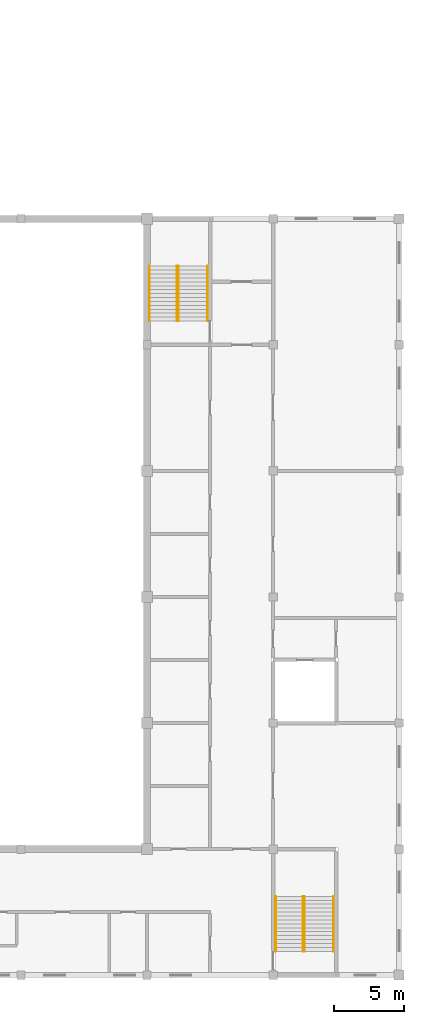
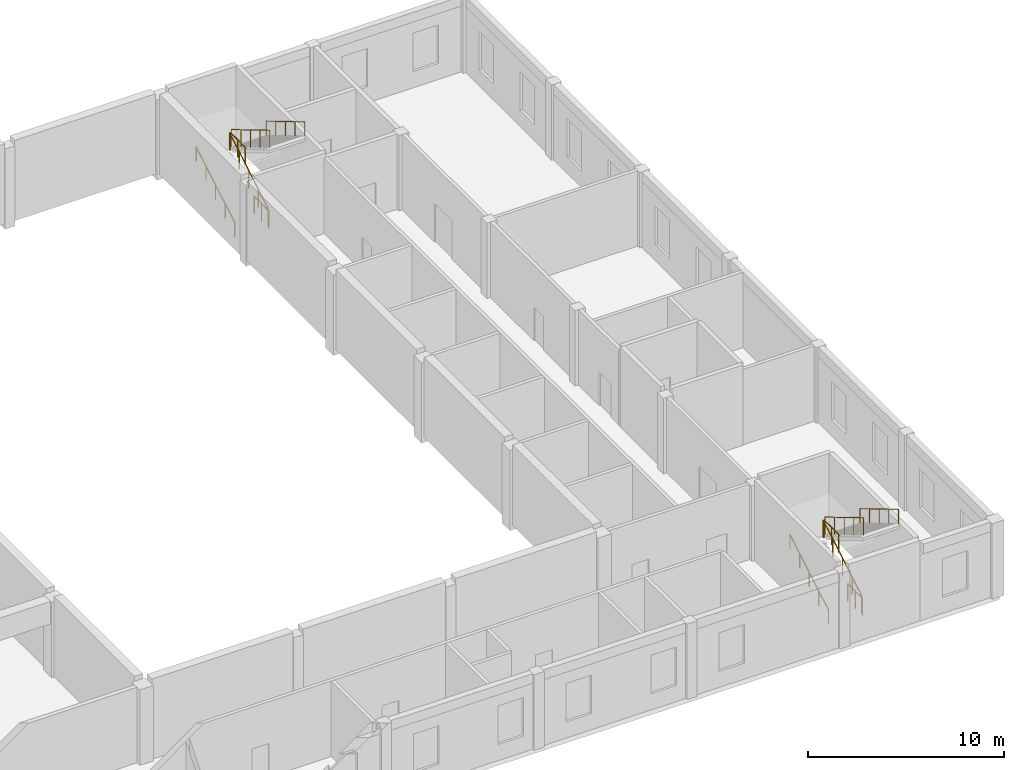
# One storey, part 29 of 30: 12 railings.
"""IFC4 building model written with IfcOpenShell, lengths in metres."""

from ifc_helpers import new_model, si_unit, direction, frame, origin, origin_2d, place, context, subcontext, project, spatial, circle, extrude, material, type_object, element, save


model = new_model("IFC4")

# Units and contexts
model_context = context("Model", 3, precision=1e-05, world=origin(), true_north=direction((0.0, 1.0)))
body_context = subcontext(model_context, "Body", "Model", "MODEL_VIEW")
ifc_project = project(units=[si_unit("LENGTHUNIT", "METRE"), si_unit("AREAUNIT", "SQUARE_METRE"), si_unit("VOLUMEUNIT", "CUBIC_METRE"), si_unit("PLANEANGLEUNIT", "RADIAN"), si_unit("MASSUNIT", "GRAM", prefix="KILO")], contexts=[model_context])

# Site, building, storey
site_placement = place(None, origin())
site = spatial("IfcSite", under=ifc_project, at=site_placement, CompositionType="ELEMENT")
building_placement = place(site_placement, origin())
building = spatial("IfcBuilding", under=site, at=building_placement, Name="Firuza Court", CompositionType="ELEMENT")
storey_placement = place(building_placement, frame((0.0, 0.0, 9.0)))
storey = spatial("IfcBuildingStorey", under=building, at=storey_placement, Name="L01", CompositionType="ELEMENT", Elevation=9.0)

# Railings
ifc_material_1 = material(Name="Steel S355", Category="steel")
railing_type_1 = type_object("IfcRailingType", Name="HALL HANDRAIL 900", PredefinedType="HANDRAIL", material=ifc_material_1)
railing_1_placement = place(storey_placement, frame((144.18994140625, -7.300048828125, 0.166748046875)))
element("IfcRailing", 1, at=railing_1_placement, inside=storey, type_object=railing_type_1, Name="Stair H2 flight 1 handrail L01", PredefinedType="HANDRAIL", context=body_context, shape_type="SweptSolid", body=[
    extrude(circle(Radius=0.02099609375, at=origin_2d()), frame((0.0, 0.0, 0.87890625), z_axis=(0.0, 0.859310244771, 0.511454693235), x_axis=(-1.0, 0.0, 0.0)), (0.0, 0.0, 1.0), 4.56201171875),
    extrude(circle(Radius=0.02001953125, at=origin_2d()), origin(), (0.0, 0.0, 1.0), 0.85791015625),
    extrude(circle(Radius=0.02001953125, at=origin_2d()), frame((0.0, 0.97998046875, 0.583251953125)), (0.0, 0.0, 1.0), 0.85791015625),
    extrude(circle(Radius=0.02001953125, at=origin_2d()), frame((0.0, 1.9599609375, 1.16650390625)), (0.0, 0.0, 1.0), 0.85791015625),
    extrude(circle(Radius=0.02001953125, at=origin_2d()), frame((0.0, 2.940185546875, 1.75)), (0.0, 0.0, 1.0), 0.85791015625),
    extrude(circle(Radius=0.02001953125, at=origin_2d()), frame((0.0, 3.920166015625, 2.333251953125)), (0.0, 0.0, 1.0), 0.85791015625),
])
railing_2_placement = place(storey_placement, frame((148.31005859375, -3.3798828125, 2.666748046875)))
element("IfcRailing", 2, at=railing_2_placement, inside=storey, type_object=railing_type_1, Name="Stair H2 flight 2 handrail L01", PredefinedType="HANDRAIL", context=body_context, shape_type="SweptSolid", body=[
    extrude(circle(Radius=0.02099609375, at=origin_2d()), frame((0.0, 0.0, 0.87890625), z_axis=(0.0, -0.859310244771, 0.511454693235), x_axis=(1.0, 0.0, 0.0)), (0.0, 0.0, 1.0), 4.56201171875),
    extrude(circle(Radius=0.02001953125, at=origin_2d()), origin(), (0.0, 0.0, 1.0), 0.85791015625),
    extrude(circle(Radius=0.02001953125, at=origin_2d()), frame((0.0, -0.97998046875, 0.583251953125)), (0.0, 0.0, 1.0), 0.85791015625),
    extrude(circle(Radius=0.02001953125, at=origin_2d()), frame((0.0, -1.9599609375, 1.16650390625)), (0.0, 0.0, 1.0), 0.85791015625),
    extrude(circle(Radius=0.02001953125, at=origin_2d()), frame((0.0, -2.940185546875, 1.75)), (0.0, 0.0, 1.0), 0.85791015625),
    extrude(circle(Radius=0.02001953125, at=origin_2d()), frame((0.0, -3.920166015625, 2.333251953125)), (0.0, 0.0, 1.0), 0.85791015625),
])
railing_3_placement = place(storey_placement, frame((135.18994140625, 37.699951171875, 0.166748046875)))
element("IfcRailing", 3, at=railing_3_placement, inside=storey, type_object=railing_type_1, Name="Stair H4 flight 1 handrail L01", PredefinedType="HANDRAIL", context=body_context, shape_type="SweptSolid", body=[
    extrude(circle(Radius=0.02099609375, at=origin_2d()), frame((0.0, 0.0, 0.87890625), z_axis=(0.0, 0.859310244771, 0.511454693235), x_axis=(-1.0, 0.0, 0.0)), (0.0, 0.0, 1.0), 4.56201171875),
    extrude(circle(Radius=0.02001953125, at=origin_2d()), origin(), (0.0, 0.0, 1.0), 0.85791015625),
    extrude(circle(Radius=0.02001953125, at=origin_2d()), frame((0.0, 0.97998046875, 0.583251953125)), (0.0, 0.0, 1.0), 0.85791015625),
    extrude(circle(Radius=0.02001953125, at=origin_2d()), frame((0.0, 1.9599609375, 1.16650390625)), (0.0, 0.0, 1.0), 0.85791015625),
    extrude(circle(Radius=0.02001953125, at=origin_2d()), frame((0.0, 2.940185546875, 1.75)), (0.0, 0.0, 1.0), 0.85791015625),
    extrude(circle(Radius=0.02001953125, at=origin_2d()), frame((0.0, 3.920166015625, 2.333251953125)), (0.0, 0.0, 1.0), 0.85791015625),
])
railing_4_placement = place(storey_placement, frame((139.31005859375, 41.6201171875, 2.666748046875)))
element("IfcRailing", 4, at=railing_4_placement, inside=storey, type_object=railing_type_1, Name="Stair H4 flight 2 handrail L01", PredefinedType="HANDRAIL", context=body_context, shape_type="SweptSolid", body=[
    extrude(circle(Radius=0.02099609375, at=origin_2d()), frame((0.0, 0.0, 0.87890625), z_axis=(0.0, -0.859310244771, 0.511454693235), x_axis=(1.0, 0.0, 0.0)), (0.0, 0.0, 1.0), 4.56201171875),
    extrude(circle(Radius=0.02001953125, at=origin_2d()), origin(), (0.0, 0.0, 1.0), 0.85791015625),
    extrude(circle(Radius=0.02001953125, at=origin_2d()), frame((0.0, -0.97998046875, 0.583251953125)), (0.0, 0.0, 1.0), 0.85791015625),
    extrude(circle(Radius=0.02001953125, at=origin_2d()), frame((0.0, -1.9599609375, 1.16650390625)), (0.0, 0.0, 1.0), 0.85791015625),
    extrude(circle(Radius=0.02001953125, at=origin_2d()), frame((0.0, -2.940185546875, 1.75)), (0.0, 0.0, 1.0), 0.85791015625),
    extrude(circle(Radius=0.02001953125, at=origin_2d()), frame((0.0, -3.920166015625, 2.333251953125)), (0.0, 0.0, 1.0), 0.85791015625),
])
ifc_material_2 = material(Name="Steel S355", Category="steel")
railing_type_2 = type_object("IfcRailingType", Name="HALL RAILING 1100", PredefinedType="GUARDRAIL", material=ifc_material_2)
railing_5_placement = place(storey_placement, frame((146.14990234375, -7.300048828125, 0.166748046875)))
element("IfcRailing", 5, at=railing_5_placement, inside=storey, type_object=railing_type_2, Name="Stair H2 flight 1 guard L01", PredefinedType="GUARDRAIL", context=body_context, shape_type="SweptSolid", body=[
    extrude(circle(Radius=0.02392578125, at=origin_2d()), frame((0.0, 0.0, 1.076171875), z_axis=(0.0, 0.859310244771, 0.511454693235), x_axis=(-1.0, 0.0, 0.0)), (0.0, 0.0, 1.0), 4.56201171875),
    extrude(circle(Radius=0.02099609375, at=origin_2d()), origin(), (0.0, 0.0, 1.0), 1.052001953125),
    extrude(circle(Radius=0.02099609375, at=origin_2d()), frame((0.0, 0.97998046875, 0.583251953125)), (0.0, 0.0, 1.0), 1.052001953125),
    extrude(circle(Radius=0.02099609375, at=origin_2d()), frame((0.0, 1.9599609375, 1.16650390625)), (0.0, 0.0, 1.0), 1.052001953125),
    extrude(circle(Radius=0.02099609375, at=origin_2d()), frame((0.0, 2.940185546875, 1.75)), (0.0, 0.0, 1.0), 1.052001953125),
    extrude(circle(Radius=0.02099609375, at=origin_2d()), frame((0.0, 3.920166015625, 2.333251953125)), (0.0, 0.0, 1.0), 1.052001953125),
])
railing_6_placement = place(storey_placement, frame((146.25, -3.3798828125, 2.666748046875)))
element("IfcRailing", 6, at=railing_6_placement, inside=storey, type_object=railing_type_2, Name="Stair H2 flight 2 guard L01", PredefinedType="GUARDRAIL", context=body_context, shape_type="SweptSolid", body=[
    extrude(circle(Radius=0.02392578125, at=origin_2d()), frame((0.0, 0.0, 1.076171875), z_axis=(0.0, -0.859310244771, 0.511454693235), x_axis=(1.0, 0.0, 0.0)), (0.0, 0.0, 1.0), 4.56201171875),
    extrude(circle(Radius=0.02099609375, at=origin_2d()), origin(), (0.0, 0.0, 1.0), 1.052001953125),
    extrude(circle(Radius=0.02099609375, at=origin_2d()), frame((0.0, -0.97998046875, 0.583251953125)), (0.0, 0.0, 1.0), 1.052001953125),
    extrude(circle(Radius=0.02099609375, at=origin_2d()), frame((0.0, -1.9599609375, 1.16650390625)), (0.0, 0.0, 1.0), 1.052001953125),
    extrude(circle(Radius=0.02099609375, at=origin_2d()), frame((0.0, -2.940185546875, 1.75)), (0.0, 0.0, 1.0), 1.052001953125),
    extrude(circle(Radius=0.02099609375, at=origin_2d()), frame((0.0, -3.920166015625, 2.333251953125)), (0.0, 0.0, 1.0), 1.052001953125),
])
railing_7_placement = place(storey_placement, frame((146.199951171875, -4.8798828125, 2.5)))
element("IfcRailing", 7, at=railing_7_placement, inside=storey, type_object=railing_type_2, Name="Stair H2 landing guard 1 L01", PredefinedType="GUARDRAIL", context=body_context, shape_type="SweptSolid", body=[
    extrude(circle(Radius=0.02392578125, at=origin_2d()), frame((0.0, 0.0, 1.076171875), z_axis=(0.0, 1.0, 0.0), x_axis=(-1.0, 0.0, 0.0)), (0.0, 0.0, 1.0), 1.5),
    extrude(circle(Radius=0.02099609375, at=origin_2d()), origin(), (0.0, 0.0, 1.0), 1.052001953125),
    extrude(circle(Radius=0.02099609375, at=origin_2d()), frame((0.0, 0.75, 0.0)), (0.0, 0.0, 1.0), 1.052001953125),
    extrude(circle(Radius=0.02099609375, at=origin_2d()), frame((0.0, 1.5, 0.0)), (0.0, 0.0, 1.0), 1.052001953125),
])
railing_8_placement = place(storey_placement, frame((137.14990234375, 37.699951171875, 0.166748046875)))
element("IfcRailing", 8, at=railing_8_placement, inside=storey, type_object=railing_type_2, Name="Stair H4 flight 1 guard L01", PredefinedType="GUARDRAIL", context=body_context, shape_type="SweptSolid", body=[
    extrude(circle(Radius=0.02392578125, at=origin_2d()), frame((0.0, 0.0, 1.076171875), z_axis=(0.0, 0.859310244771, 0.511454693235), x_axis=(-1.0, 0.0, 0.0)), (0.0, 0.0, 1.0), 4.56201171875),
    extrude(circle(Radius=0.02099609375, at=origin_2d()), origin(), (0.0, 0.0, 1.0), 1.052001953125),
    extrude(circle(Radius=0.02099609375, at=origin_2d()), frame((0.0, 0.97998046875, 0.583251953125)), (0.0, 0.0, 1.0), 1.052001953125),
    extrude(circle(Radius=0.02099609375, at=origin_2d()), frame((0.0, 1.9599609375, 1.16650390625)), (0.0, 0.0, 1.0), 1.052001953125),
    extrude(circle(Radius=0.02099609375, at=origin_2d()), frame((0.0, 2.940185546875, 1.75)), (0.0, 0.0, 1.0), 1.052001953125),
    extrude(circle(Radius=0.02099609375, at=origin_2d()), frame((0.0, 3.920166015625, 2.333251953125)), (0.0, 0.0, 1.0), 1.052001953125),
])
railing_9_placement = place(storey_placement, frame((137.25, 41.6201171875, 2.666748046875)))
element("IfcRailing", 9, at=railing_9_placement, inside=storey, type_object=railing_type_2, Name="Stair H4 flight 2 guard L01", PredefinedType="GUARDRAIL", context=body_context, shape_type="SweptSolid", body=[
    extrude(circle(Radius=0.02392578125, at=origin_2d()), frame((0.0, 0.0, 1.076171875), z_axis=(0.0, -0.859310244771, 0.511454693235), x_axis=(1.0, 0.0, 0.0)), (0.0, 0.0, 1.0), 4.56201171875),
    extrude(circle(Radius=0.02099609375, at=origin_2d()), origin(), (0.0, 0.0, 1.0), 1.052001953125),
    extrude(circle(Radius=0.02099609375, at=origin_2d()), frame((0.0, -0.97998046875, 0.583251953125)), (0.0, 0.0, 1.0), 1.052001953125),
    extrude(circle(Radius=0.02099609375, at=origin_2d()), frame((0.0, -1.9599609375, 1.16650390625)), (0.0, 0.0, 1.0), 1.052001953125),
    extrude(circle(Radius=0.02099609375, at=origin_2d()), frame((0.0, -2.940185546875, 1.75)), (0.0, 0.0, 1.0), 1.052001953125),
    extrude(circle(Radius=0.02099609375, at=origin_2d()), frame((0.0, -3.920166015625, 2.333251953125)), (0.0, 0.0, 1.0), 1.052001953125),
])
for number, where, name in (
    (10, (137.199951171875, 40.1201171875, 2.5), "Stair H4 landing guard 1 L01"),
    (11, (146.199951171875, -7.300048828125, 0.0), "Stair H2 floor guard L01"),
    (12, (137.199951171875, 37.699951171875, 0.0), "Stair H4 floor guard L01"),
):
    element("IfcRailing", number, at=place(storey_placement, frame(where)), inside=storey, type_object=railing_type_2, Name=name, PredefinedType="GUARDRAIL", context=body_context, shape_type="SweptSolid", body=[
        extrude(circle(Radius=0.02392578125, at=origin_2d()), frame((0.0, 0.0, 1.076171875), z_axis=(0.0, 1.0, 0.0), x_axis=(-1.0, 0.0, 0.0)), (0.0, 0.0, 1.0), 1.5),
        extrude(circle(Radius=0.02099609375, at=origin_2d()), origin(), (0.0, 0.0, 1.0), 1.052001953125),
        extrude(circle(Radius=0.02099609375, at=origin_2d()), frame((0.0, 0.75, 0.0)), (0.0, 0.0, 1.0), 1.052001953125),
        extrude(circle(Radius=0.02099609375, at=origin_2d()), frame((0.0, 1.5, 0.0)), (0.0, 0.0, 1.0), 1.052001953125),
    ])

save(model, "model.ifc")
